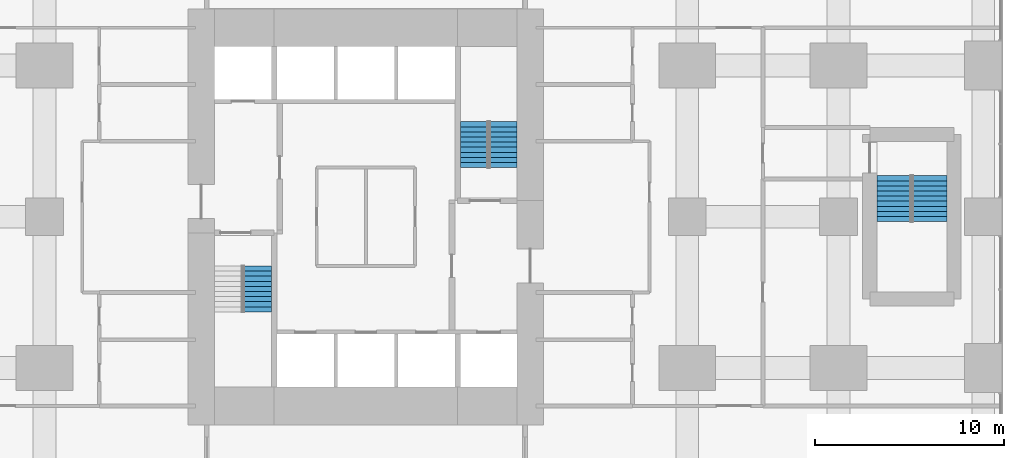
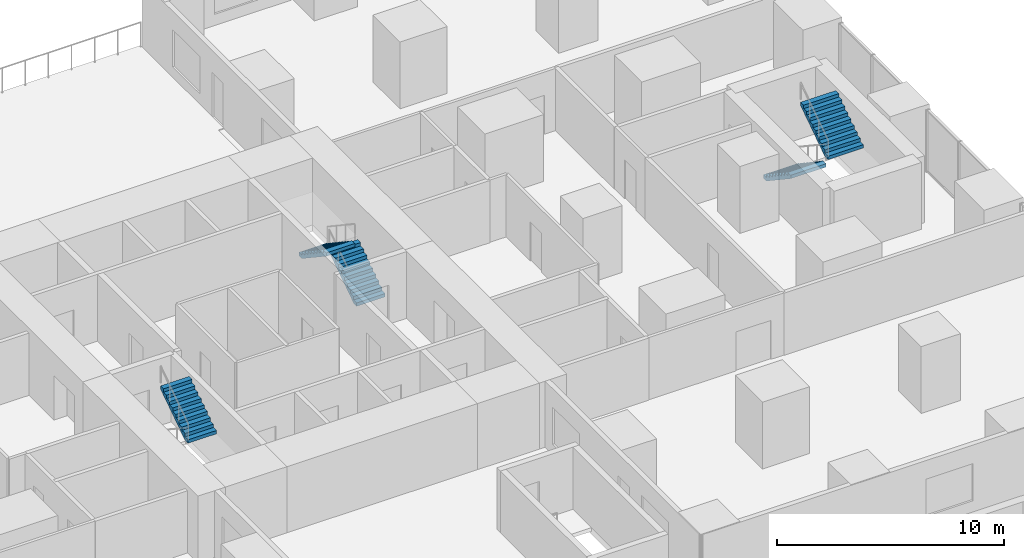
# One storey, part 14 of 15: 5 stair flights, 3 elements without a shape of their own.
"""IFC4 building model written with IfcOpenShell, lengths in metres."""

from ifc_helpers import new_model, si_unit, direction, frame, origin, place, context, subcontext, project, spatial, polyline, outline, extrude, material, type_object, element, aggregate, save


model = new_model("IFC4")

# Units and contexts
model_context = context("Model", 3, precision=1e-05, world=origin(), true_north=direction((0.0, 1.0)))
body_context = subcontext(model_context, "Body", "Model", "MODEL_VIEW")
ifc_project = project(units=[si_unit("LENGTHUNIT", "METRE"), si_unit("AREAUNIT", "SQUARE_METRE"), si_unit("VOLUMEUNIT", "CUBIC_METRE"), si_unit("PLANEANGLEUNIT", "RADIAN"), si_unit("MASSUNIT", "GRAM", prefix="KILO")], contexts=[model_context])

# Site, building, storey
site_placement = place(None, origin())
site = spatial("IfcSite", under=ifc_project, at=site_placement, CompositionType="ELEMENT")
building_placement = place(site_placement, origin())
building = spatial("IfcBuilding", under=site, at=building_placement, Name="Cleftline Residences", CompositionType="ELEMENT")
storey_placement = place(building_placement, frame((0.0, 0.0, 26.0)))
storey = spatial("IfcBuildingStorey", under=building, at=storey_placement, Name="L05", CompositionType="ELEMENT", Elevation=26.0)

# Stair, stair flight
ifc_material_1 = material(Name="Concrete B45, stone treads", Category="masonry")
stair_type_1 = type_object("IfcStairType", Name="STAIR A 1450 WIDE 180 RISER", PredefinedType="HALF_TURN_STAIR", material=ifc_material_1)
stair_1_placement = place(storey_placement, origin())
stair_1 = element("IfcStair", 1, at=stair_1_placement, inside=storey, type_object=stair_type_1, Name="Stair A L05", PredefinedType="HALF_TURN_STAIR")
ifc_material_2 = material(Name="Concrete B45", Category="concrete")
stair_flight_type_1 = type_object("IfcStairFlightType", Name="STAIR A FLIGHT 1450X180", PredefinedType="STRAIGHT", material=ifc_material_2)
stair_flight_1_placement = place(storey_placement, frame((27.27490234375, 18.969970703125, 1.800048828125), z_axis=(0.0, 0.0, 1.0), x_axis=(0.0, 1.0, 0.0)))
stair_flight_1 = element("IfcStairFlight", 2, at=stair_flight_1_placement, type_object=stair_flight_type_1, Name="ST-A flight 2", NumberOfRisers=10, NumberOfTreads=9, PredefinedType="STRAIGHT", RiserHeight=0.18, TreadLength=0.27, context=body_context, shape_type="SweptSolid", body=[
    extrude(outline(polyline([(0.0, 0.0), (0.0, 0.013916015625), (0.0, 0.027587890625), (0.0, 0.04150390625), (0.0, 0.055419921875), (0.0, 0.0693359375), (0.0, 0.0830078125), (0.0, 0.096923828125), (0.0, 0.11083984375), (0.0, 0.12451171875), (0.0, 0.138427734375), (0.0, 0.15234375), (0.0, 0.166259765625), (0.0, 0.179931640625), (0.27001953125, 0.179931640625), (0.27001953125, 0.360107421875), (0.5400390625, 0.360107421875), (0.5400390625, 0.5400390625), (0.81005859375, 0.5400390625), (0.81005859375, 0.719970703125), (1.080078125, 0.719970703125), (1.080078125, 0.89990234375), (1.35009765625, 0.89990234375), (1.35009765625, 1.080078125), (1.6201171875, 1.080078125), (1.6201171875, 1.260009765625), (1.889892578125, 1.260009765625), (1.889892578125, 1.43994140625), (2.159912109375, 1.43994140625), (2.159912109375, 1.6201171875), (2.429931640625, 1.6201171875), (2.429931640625, 1.800048828125), (2.429931640625, 1.772216796875), (2.429931640625, 1.74462890625), (2.429931640625, 1.716796875), (2.429931640625, 1.689208984375), (2.429931640625, 1.661376953125), (2.429931640625, 1.6337890625), (2.429931640625, 1.60595703125), (2.429931640625, 1.578369140625), (2.429931640625, 1.550537109375), (2.429931640625, 1.52294921875), (2.429931640625, 1.495361328125), (2.429931640625, 1.467529296875), (2.429931640625, 1.43994140625), (0.270263671875, 0.0), (0.0, 0.0)])), frame((0.0, 0.72509765625, 0.0), z_axis=(0.0, -1.0, 0.0), x_axis=(1.0, 0.0, 0.0)), (0.0, 0.0, 1.0), 1.449951171875),
])
aggregate(stair_1, [stair_flight_1])

# Stair, stair flights
ifc_material_3 = material(Name="Concrete B45, stone treads", Category="masonry")
stair_type_2 = type_object("IfcStairType", Name="STAIR B 1450 WIDE 180 RISER", PredefinedType="HALF_TURN_STAIR", material=ifc_material_3)
stair_2_placement = place(storey_placement, origin())
stair_2 = element("IfcStair", 3, at=stair_2_placement, inside=storey, type_object=stair_type_2, Name="Stair B L05", PredefinedType="HALF_TURN_STAIR")
ifc_material_4 = material(Name="Concrete B45", Category="concrete")
stair_flight_type_2 = type_object("IfcStairFlightType", Name="STAIR B FLIGHT 1450X180", PredefinedType="STRAIGHT", material=ifc_material_4)
stair_flight_2_placement = place(storey_placement, frame((40.27490234375, 26.60009765625, 0.0), z_axis=(0.0, 0.0, 1.0), x_axis=(0.0, 1.0, 0.0)))
stair_flight_2 = element("IfcStairFlight", 4, at=stair_flight_2_placement, type_object=stair_flight_type_2, Name="ST-B flight 1", NumberOfRisers=10, NumberOfTreads=9, PredefinedType="STRAIGHT", RiserHeight=0.18, TreadLength=0.27, context=body_context, shape_type="SweptSolid", body=[
    extrude(outline(polyline([(0.0, 0.0), (0.0, 0.013916015625), (0.0, 0.027587890625), (0.0, 0.04150390625), (0.0, 0.055419921875), (0.0, 0.0693359375), (0.0, 0.0830078125), (0.0, 0.096923828125), (0.0, 0.11083984375), (0.0, 0.12451171875), (0.0, 0.138427734375), (0.0, 0.15234375), (0.0, 0.166259765625), (0.0, 0.179931640625), (0.27001953125, 0.179931640625), (0.27001953125, 0.360107421875), (0.5400390625, 0.360107421875), (0.5400390625, 0.5400390625), (0.81005859375, 0.5400390625), (0.81005859375, 0.719970703125), (1.080078125, 0.719970703125), (1.080078125, 0.89990234375), (1.35009765625, 0.89990234375), (1.35009765625, 1.080078125), (1.6201171875, 1.080078125), (1.6201171875, 1.260009765625), (1.889892578125, 1.260009765625), (1.889892578125, 1.43994140625), (2.159912109375, 1.43994140625), (2.159912109375, 1.6201171875), (2.429931640625, 1.6201171875), (2.429931640625, 1.800048828125), (2.429931640625, 1.772216796875), (2.429931640625, 1.74462890625), (2.429931640625, 1.716796875), (2.429931640625, 1.689208984375), (2.429931640625, 1.661376953125), (2.429931640625, 1.6337890625), (2.429931640625, 1.60595703125), (2.429931640625, 1.578369140625), (2.429931640625, 1.550537109375), (2.429931640625, 1.52294921875), (2.429931640625, 1.495361328125), (2.429931640625, 1.467529296875), (2.429931640625, 1.43994140625), (0.270263671875, 0.0), (0.0, 0.0)])), frame((0.0, 0.72509765625, 0.0), z_axis=(0.0, -1.0, 0.0), x_axis=(1.0, 0.0, 0.0)), (0.0, 0.0, 1.0), 1.449951171875),
])
stair_flight_3_placement = place(storey_placement, frame((38.72509765625, 29.030029296875, 1.800048828125), z_axis=(0.0, 0.0, 1.0), x_axis=(0.0, -1.0, 0.0)))
stair_flight_3 = element("IfcStairFlight", 5, at=stair_flight_3_placement, type_object=stair_flight_type_2, Name="ST-B flight 2", NumberOfRisers=10, NumberOfTreads=9, PredefinedType="STRAIGHT", RiserHeight=0.18, TreadLength=0.27, context=body_context, shape_type="SweptSolid", body=[
    extrude(outline(polyline([(0.0, 0.0), (0.0, 0.013916015625), (0.0, 0.027587890625), (0.0, 0.04150390625), (0.0, 0.055419921875), (0.0, 0.0693359375), (0.0, 0.0830078125), (0.0, 0.096923828125), (0.0, 0.11083984375), (0.0, 0.12451171875), (0.0, 0.138427734375), (0.0, 0.15234375), (0.0, 0.166259765625), (0.0, 0.179931640625), (0.27001953125, 0.179931640625), (0.27001953125, 0.360107421875), (0.5400390625, 0.360107421875), (0.5400390625, 0.5400390625), (0.81005859375, 0.5400390625), (0.81005859375, 0.719970703125), (1.080078125, 0.719970703125), (1.080078125, 0.89990234375), (1.35009765625, 0.89990234375), (1.35009765625, 1.080078125), (1.6201171875, 1.080078125), (1.6201171875, 1.260009765625), (1.889892578125, 1.260009765625), (1.889892578125, 1.43994140625), (2.159912109375, 1.43994140625), (2.159912109375, 1.6201171875), (2.429931640625, 1.6201171875), (2.429931640625, 1.800048828125), (2.429931640625, 1.772216796875), (2.429931640625, 1.74462890625), (2.429931640625, 1.716796875), (2.429931640625, 1.689208984375), (2.429931640625, 1.661376953125), (2.429931640625, 1.6337890625), (2.429931640625, 1.60595703125), (2.429931640625, 1.578369140625), (2.429931640625, 1.550537109375), (2.429931640625, 1.52294921875), (2.429931640625, 1.495361328125), (2.429931640625, 1.467529296875), (2.429931640625, 1.43994140625), (0.270263671875, 0.0), (0.0, 0.0)])), frame((0.0, 0.72509765625, 0.0), z_axis=(0.0, -1.0, 0.0), x_axis=(1.0, 0.0, 0.0)), (0.0, 0.0, 1.0), 1.449951171875),
])
aggregate(stair_2, [stair_flight_2, stair_flight_3])

ifc_material_5 = material(Name="Concrete B45, stone treads", Category="masonry")
stair_type_3 = type_object("IfcStairType", Name="STAIR E 1800 WIDE 180 RISER", PredefinedType="HALF_TURN_STAIR", material=ifc_material_5)
stair_3_placement = place(storey_placement, origin())
stair_3 = element("IfcStair", 6, at=stair_3_placement, inside=storey, type_object=stair_type_3, Name="Stair E L05", PredefinedType="HALF_TURN_STAIR")
ifc_material_6 = material(Name="Concrete B45", Category="concrete")
stair_flight_type_3 = type_object("IfcStairFlightType", Name="STAIR E FLIGHT 1800X180", PredefinedType="STRAIGHT", material=ifc_material_6)
stair_flight_4_placement = place(storey_placement, frame((60.925048828125, 26.175048828125, 0.0), z_axis=(0.0, 0.0, 1.0), x_axis=(0.0, -1.0, 0.0)))
stair_flight_4 = element("IfcStairFlight", 7, at=stair_flight_4_placement, type_object=stair_flight_type_3, Name="ST-E flight 1", NumberOfRisers=10, NumberOfTreads=9, PredefinedType="STRAIGHT", RiserHeight=0.18, TreadLength=0.27, context=body_context, shape_type="SweptSolid", body=[
    extrude(outline(polyline([(0.0, 0.0), (0.0, 0.013916015625), (0.0, 0.027587890625), (0.0, 0.04150390625), (0.0, 0.055419921875), (0.0, 0.0693359375), (0.0, 0.0830078125), (0.0, 0.096923828125), (0.0, 0.11083984375), (0.0, 0.12451171875), (0.0, 0.138427734375), (0.0, 0.15234375), (0.0, 0.166259765625), (0.0, 0.179931640625), (0.27001953125, 0.179931640625), (0.27001953125, 0.360107421875), (0.5400390625, 0.360107421875), (0.5400390625, 0.5400390625), (0.81005859375, 0.5400390625), (0.81005859375, 0.719970703125), (1.080078125, 0.719970703125), (1.080078125, 0.89990234375), (1.35009765625, 0.89990234375), (1.35009765625, 1.080078125), (1.6201171875, 1.080078125), (1.6201171875, 1.260009765625), (1.889892578125, 1.260009765625), (1.889892578125, 1.43994140625), (2.159912109375, 1.43994140625), (2.159912109375, 1.6201171875), (2.429931640625, 1.6201171875), (2.429931640625, 1.800048828125), (2.429931640625, 1.772216796875), (2.429931640625, 1.74462890625), (2.429931640625, 1.716796875), (2.429931640625, 1.689208984375), (2.429931640625, 1.661376953125), (2.429931640625, 1.6337890625), (2.429931640625, 1.60595703125), (2.429931640625, 1.578369140625), (2.429931640625, 1.550537109375), (2.429931640625, 1.52294921875), (2.429931640625, 1.495361328125), (2.429931640625, 1.467529296875), (2.429931640625, 1.43994140625), (0.270263671875, 0.0), (0.0, 0.0)])), frame((0.0, 0.89990234375, 0.0), z_axis=(0.0, -1.0, 0.0), x_axis=(1.0, 0.0, 0.0)), (0.0, 0.0, 1.0), 1.800048828125),
])
stair_flight_5_placement = place(storey_placement, frame((62.824951171875, 23.7451171875, 1.800048828125), z_axis=(0.0, 0.0, 1.0), x_axis=(0.0, 1.0, 0.0)))
stair_flight_5 = element("IfcStairFlight", 8, at=stair_flight_5_placement, type_object=stair_flight_type_3, Name="ST-E flight 2", NumberOfRisers=10, NumberOfTreads=9, PredefinedType="STRAIGHT", RiserHeight=0.18, TreadLength=0.27, context=body_context, shape_type="SweptSolid", body=[
    extrude(outline(polyline([(0.0, 0.0), (0.0, 0.013916015625), (0.0, 0.027587890625), (0.0, 0.04150390625), (0.0, 0.055419921875), (0.0, 0.0693359375), (0.0, 0.0830078125), (0.0, 0.096923828125), (0.0, 0.11083984375), (0.0, 0.12451171875), (0.0, 0.138427734375), (0.0, 0.15234375), (0.0, 0.166259765625), (0.0, 0.179931640625), (0.27001953125, 0.179931640625), (0.27001953125, 0.360107421875), (0.5400390625, 0.360107421875), (0.5400390625, 0.5400390625), (0.81005859375, 0.5400390625), (0.81005859375, 0.719970703125), (1.080078125, 0.719970703125), (1.080078125, 0.89990234375), (1.35009765625, 0.89990234375), (1.35009765625, 1.080078125), (1.6201171875, 1.080078125), (1.6201171875, 1.260009765625), (1.889892578125, 1.260009765625), (1.889892578125, 1.43994140625), (2.159912109375, 1.43994140625), (2.159912109375, 1.6201171875), (2.429931640625, 1.6201171875), (2.429931640625, 1.800048828125), (2.429931640625, 1.772216796875), (2.429931640625, 1.74462890625), (2.429931640625, 1.716796875), (2.429931640625, 1.689208984375), (2.429931640625, 1.661376953125), (2.429931640625, 1.6337890625), (2.429931640625, 1.60595703125), (2.429931640625, 1.578369140625), (2.429931640625, 1.550537109375), (2.429931640625, 1.52294921875), (2.429931640625, 1.495361328125), (2.429931640625, 1.467529296875), (2.429931640625, 1.43994140625), (0.270263671875, 0.0), (0.0, 0.0)])), frame((0.0, 0.89990234375, 0.0), z_axis=(0.0, -1.0, 0.0), x_axis=(1.0, 0.0, 0.0)), (0.0, 0.0, 1.0), 1.800048828125),
])
aggregate(stair_3, [stair_flight_4, stair_flight_5])

save(model, "model.ifc")
